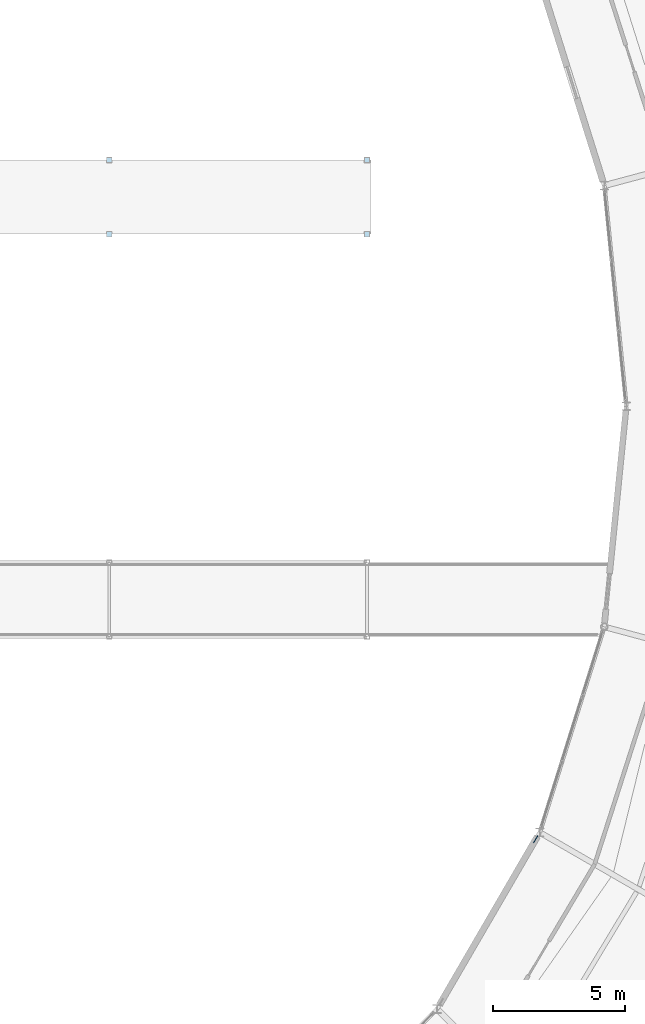
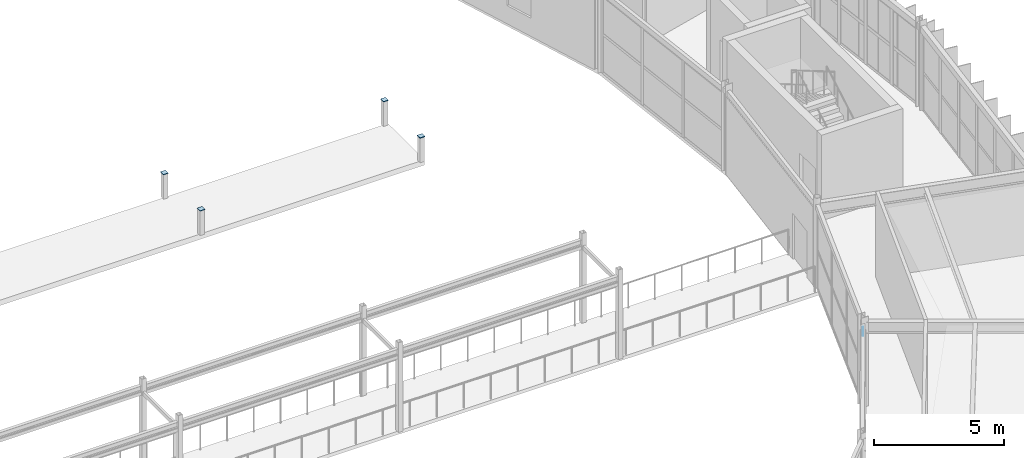
# One storey, part 116 of 147: 5 plates.
"""IFC4 building model written with IfcOpenShell, lengths in metres."""

from ifc_helpers import new_model, si_unit, direction, frame, origin, origin_2d, place, context, subcontext, project, spatial, rectangle, extrude, material, layer, layer_set, type_object, element, save


model = new_model("IFC4")

# Units and contexts
model_context = context("Model", 3, precision=1e-05, world=origin(), true_north=direction((0.0, 1.0)))
body_context = subcontext(model_context, "Body", "Model", "MODEL_VIEW")
ifc_project = project(units=[si_unit("LENGTHUNIT", "METRE"), si_unit("AREAUNIT", "SQUARE_METRE"), si_unit("VOLUMEUNIT", "CUBIC_METRE"), si_unit("PLANEANGLEUNIT", "RADIAN"), si_unit("MASSUNIT", "GRAM", prefix="KILO")], contexts=[model_context])

# Site, building, storey
site_placement = place(None, origin())
site = spatial("IfcSite", under=ifc_project, at=site_placement, CompositionType="ELEMENT")
building_placement = place(site_placement, origin())
building = spatial("IfcBuilding", under=site, at=building_placement, Name="Karori Crest Natural Sciences Institute", CompositionType="ELEMENT")
storey_placement = place(building_placement, frame((0.0, 0.0, 9.10009765625)))
storey = spatial("IfcBuildingStorey", under=building, at=storey_placement, Name="L02", CompositionType="ELEMENT", Elevation=9.10009765625)

# Plates
ifc_material = material(Name="Structural steel AS/NZS 3679.1 Grade 350", Category="steel")
ifc_layer_1 = layer(ifc_material, 0.02490234375, Name="Structural steel AS/NZS 3679.1 Grade 350")
ifc_layer_set_1 = layer_set([ifc_layer_1], Name="Structural steel AS/NZS 3679.1 Grade 350")
plate_type_1 = type_object("IfcPlateType", Name="PLT-06", PredefinedType="SHEET", material=ifc_layer_set_1)
plate_placement = place(storey_placement, frame((87.380126953125, 33.540771484375, 3.5205078125), z_axis=(0.0, 0.0, 1.0), x_axis=(0.502651840669, 0.86448893982, 0.0)))
element("IfcPlate", 1, at=plate_placement, inside=storey, type_object=plate_type_1, Name="Brace gusset plate EP-0032", PredefinedType="SHEET", context=body_context, shape_type="SweptSolid", body=[
    extrude(rectangle(XDim=0.299072265625, YDim=0.02490234375, at=origin_2d()), origin(), (0.0, 0.0, 1.0), 0.259033203125),
])
ifc_layer_2 = layer(ifc_material, 0.02490234375, Name="Structural steel AS/NZS 3679.1 Grade 350")
ifc_layer_set_2 = layer_set([ifc_layer_2], Name="Structural steel AS/NZS 3679.1 Grade 350")
plate_type_2 = type_object("IfcPlateType", Name="PLT-06-EL", PredefinedType="SHEET", material=ifc_layer_set_2)
for number, where, z_axis, x_axis, name in (
    (2, (71.27001953125, 56.39990234375, 1.14990234375), (0.0, 0.0, 1.0), (1.0, 0.0, 0.0), "Hollow section end cap EP-0197"),
    (3, (71.27001953125, 59.199951171875, 1.14990234375), (0.0, 0.0, 1.0), (1.0, 0.0, 0.0), "Hollow section end cap EP-0200"),
    (4, (81.010009765625, 56.39990234375, 1.14990234375), (0.0, 0.0, 1.0), (1.0, 0.0, 0.0), "Hollow section end cap EP-0203"),
    (5, (81.010009765625, 59.199951171875, 1.14990234375), (0.0, 0.0, 1.0), (1.0, 0.0, 0.0), "Hollow section end cap EP-0204"),
):
    element("IfcPlate", number, at=place(storey_placement, frame(where, z_axis=z_axis, x_axis=x_axis)), inside=storey, type_object=plate_type_2, Name=name, PredefinedType="SHEET", context=body_context, shape_type="SweptSolid", body=[
        extrude(rectangle(XDim=0.219970703125, YDim=0.219970703125, at=origin_2d()), origin(), (0.0, 0.0, 1.0), 0.02490234375),
    ])

save(model, "model.ifc")
